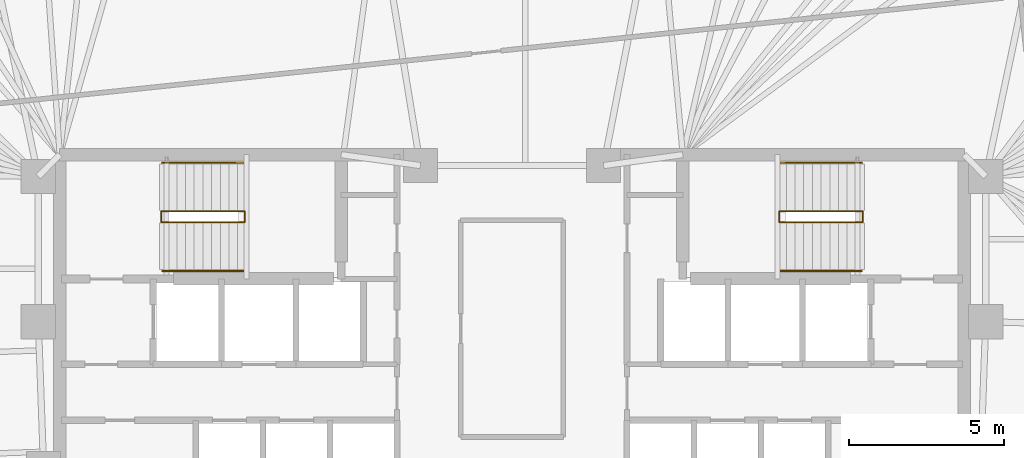
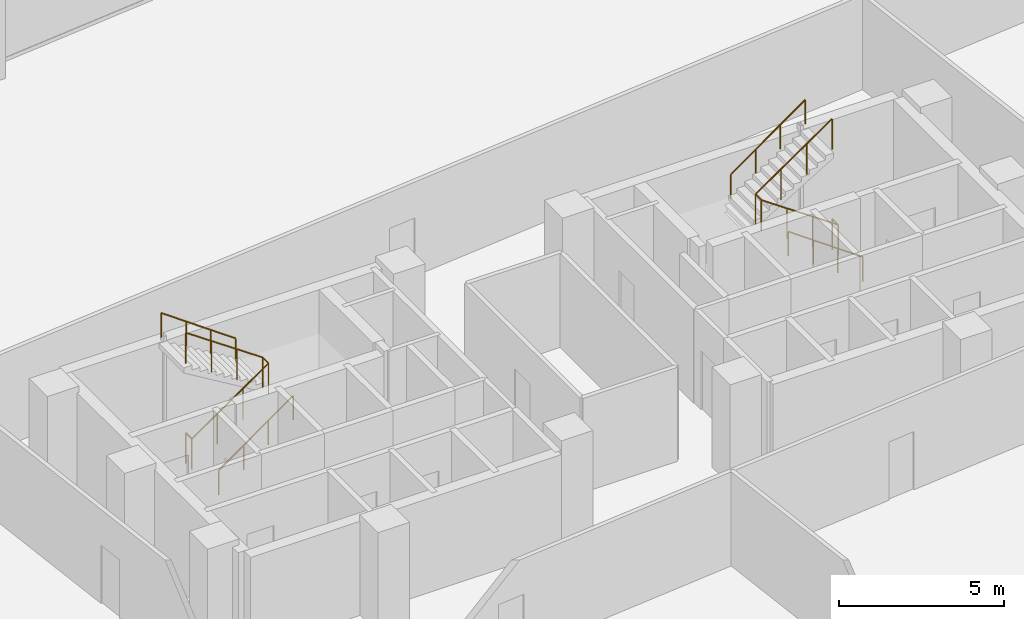
# One storey, part 17 of 17: 6 railings.
"""IFC4 building model written with IfcOpenShell, lengths in metres."""

from ifc_helpers import new_model, si_unit, direction, frame, origin, origin_2d, place, context, subcontext, project, spatial, circle, extrude, material, type_object, element, save


model = new_model("IFC4")

# Units and contexts
model_context = context("Model", 3, precision=1e-05, world=origin(), true_north=direction((0.0, 1.0)))
body_context = subcontext(model_context, "Body", "Model", "MODEL_VIEW")
ifc_project = project(units=[si_unit("LENGTHUNIT", "METRE"), si_unit("AREAUNIT", "SQUARE_METRE"), si_unit("VOLUMEUNIT", "CUBIC_METRE"), si_unit("PLANEANGLEUNIT", "RADIAN"), si_unit("MASSUNIT", "GRAM", prefix="KILO")], contexts=[model_context])

# Site, building, storey
site_placement = place(None, origin())
site = spatial("IfcSite", under=ifc_project, at=site_placement, CompositionType="ELEMENT")
building_placement = place(site_placement, origin())
building = spatial("IfcBuilding", under=site, at=building_placement, Name="Menara Jurai Vektor", CompositionType="ELEMENT")
storey_placement = place(building_placement, frame((0.0, 0.0, 109.60009765625)))
storey = spatial("IfcBuildingStorey", under=building, at=storey_placement, Name="L27", CompositionType="ELEMENT", Elevation=109.60009765625)

# Railings
ifc_material_1 = material(Name="Painted Galvanised Steel Balustrade", Category="steel")
railing_type_1 = type_object("IfcRailingType", Name="RAIL-STAIR-GUARD", PredefinedType="GUARDRAIL", material=ifc_material_1)
railing_1_placement = place(storey_placement, frame((-11.2900390625, 3.780029296875, 0.0)))
element("IfcRailing", 1, at=railing_1_placement, inside=storey, type_object=railing_type_1, Name="ST1 Stair Guardrail 1 L27", PredefinedType="GUARDRAIL", context=body_context, shape_type="SweptSolid", body=[
    extrude(circle(Radius=0.02392578125, at=origin_2d()), frame((0.0, 0.0, 1.1259765625), z_axis=(0.0, -1.0, 0.0), x_axis=(1.0, 0.0, 0.0)), (0.0, 0.0, 1.0), 0.360107421875),
    extrude(circle(Radius=0.02392578125, at=origin_2d()), frame((0.0, -0.360107421875, 1.1259765625), z_axis=(0.822979520584, 0.0, 0.568071041948), x_axis=(0.0, 1.0, 0.0)), (0.0, 0.0, 1.0), 3.25634765625),
    extrude(circle(Radius=0.02392578125, at=origin_2d()), frame((2.679931640625, -0.360107421875, 2.9755859375), z_axis=(0.0, 1.0, 0.0), x_axis=(-1.0, 0.0, 0.0)), (0.0, 0.0, 1.0), 0.360107421875),
    extrude(circle(Radius=0.02392578125, at=origin_2d()), frame((2.679931640625, 0.0, 2.9755859375), z_axis=(-0.822944469782, 0.0, 0.568121817619), x_axis=(0.0, -1.0, 0.0)), (0.0, 0.0, 1.0), 3.256591796875),
    extrude(circle(Radius=0.02099609375, at=origin_2d()), origin(), (0.0, 0.0, 1.0), 1.101806640625),
    extrude(circle(Radius=0.02099609375, at=origin_2d()), frame((0.0, -0.360107421875, 0.0)), (0.0, 0.0, 1.0), 1.101806640625),
    extrude(circle(Radius=0.02099609375, at=origin_2d()), frame((0.893310546875, -0.360107421875, 0.61669921875)), (0.0, 0.0, 1.0), 1.101806640625),
    extrude(circle(Radius=0.02099609375, at=origin_2d()), frame((1.78662109375, -0.360107421875, 1.233154296875)), (0.0, 0.0, 1.0), 1.101806640625),
    extrude(circle(Radius=0.02099609375, at=origin_2d()), frame((2.679931640625, -0.360107421875, 1.849853515625)), (0.0, 0.0, 1.0), 1.101806640625),
    extrude(circle(Radius=0.02099609375, at=origin_2d()), frame((2.679931640625, 0.0, 1.849853515625)), (0.0, 0.0, 1.0), 1.101806640625),
    extrude(circle(Radius=0.02099609375, at=origin_2d()), frame((1.78662109375, 0.0, 2.466552734375)), (0.0, 0.0, 1.0), 1.101806640625),
    extrude(circle(Radius=0.02099609375, at=origin_2d()), frame((0.893310546875, 0.0, 3.083251953125)), (0.0, 0.0, 1.0), 1.101806640625),
    extrude(circle(Radius=0.02099609375, at=origin_2d()), frame((0.0, 0.0, 3.699951171875)), (0.0, 0.0, 1.0), 1.101806640625),
])
railing_2_placement = place(storey_placement, frame((11.2900390625, 3.780029296875, 0.0)))
element("IfcRailing", 2, at=railing_2_placement, inside=storey, type_object=railing_type_1, Name="ST2 Stair Guardrail 1 L27", PredefinedType="GUARDRAIL", context=body_context, shape_type="SweptSolid", body=[
    extrude(circle(Radius=0.02392578125, at=origin_2d()), frame((0.0, 0.0, 1.1259765625), z_axis=(0.0, -1.0, 0.0), x_axis=(1.0, 0.0, 0.0)), (0.0, 0.0, 1.0), 0.360107421875),
    extrude(circle(Radius=0.02392578125, at=origin_2d()), frame((0.0, -0.360107421875, 1.1259765625), z_axis=(-0.822979520584, 0.0, 0.568071041948), x_axis=(0.0, -1.0, 0.0)), (0.0, 0.0, 1.0), 3.25634765625),
    extrude(circle(Radius=0.02392578125, at=origin_2d()), frame((-2.679931640625, -0.360107421875, 2.9755859375), z_axis=(0.0, 1.0, 0.0), x_axis=(-1.0, 0.0, 0.0)), (0.0, 0.0, 1.0), 0.360107421875),
    extrude(circle(Radius=0.02392578125, at=origin_2d()), frame((-2.679931640625, 0.0, 2.9755859375), z_axis=(0.822944469782, 0.0, 0.568121817619), x_axis=(0.0, 1.0, 0.0)), (0.0, 0.0, 1.0), 3.256591796875),
    extrude(circle(Radius=0.02099609375, at=origin_2d()), origin(), (0.0, 0.0, 1.0), 1.101806640625),
    extrude(circle(Radius=0.02099609375, at=origin_2d()), frame((0.0, -0.360107421875, 0.0)), (0.0, 0.0, 1.0), 1.101806640625),
    extrude(circle(Radius=0.02099609375, at=origin_2d()), frame((-0.893310546875, -0.360107421875, 0.61669921875)), (0.0, 0.0, 1.0), 1.101806640625),
    extrude(circle(Radius=0.02099609375, at=origin_2d()), frame((-1.78662109375, -0.360107421875, 1.233154296875)), (0.0, 0.0, 1.0), 1.101806640625),
    extrude(circle(Radius=0.02099609375, at=origin_2d()), frame((-2.679931640625, -0.360107421875, 1.849853515625)), (0.0, 0.0, 1.0), 1.101806640625),
    extrude(circle(Radius=0.02099609375, at=origin_2d()), frame((-2.679931640625, 0.0, 1.849853515625)), (0.0, 0.0, 1.0), 1.101806640625),
    extrude(circle(Radius=0.02099609375, at=origin_2d()), frame((-1.78662109375, 0.0, 2.466552734375)), (0.0, 0.0, 1.0), 1.101806640625),
    extrude(circle(Radius=0.02099609375, at=origin_2d()), frame((-0.893310546875, 0.0, 3.083251953125)), (0.0, 0.0, 1.0), 1.101806640625),
    extrude(circle(Radius=0.02099609375, at=origin_2d()), frame((0.0, 0.0, 3.699951171875)), (0.0, 0.0, 1.0), 1.101806640625),
])
ifc_material_2 = material(Name="Brushed Stainless Steel Handrail", Category="steel")
railing_type_2 = type_object("IfcRailingType", Name="RAIL-STAIR-HAND", PredefinedType="HANDRAIL", material=ifc_material_2)
railing_3_placement = place(storey_placement, frame((-11.25, 1.860107421875, 0.0)))
element("IfcRailing", 3, at=railing_3_placement, inside=storey, type_object=railing_type_2, Name="ST1 Stair Handrail 1 L27", PredefinedType="HANDRAIL", context=body_context, shape_type="SweptSolid", body=[
    extrude(circle(Radius=0.02392578125, at=origin_2d()), frame((0.0, 0.0, 0.89599609375), z_axis=(0.814822811145, 0.0, 0.579710088267), x_axis=(0.0, 1.0, 0.0)), (0.0, 0.0, 1.0), 3.19091796875),
    extrude(circle(Radius=0.02099609375, at=origin_2d()), origin(), (0.0, 0.0, 1.0), 0.871826171875),
    extrude(circle(Radius=0.02099609375, at=origin_2d()), frame((0.86669921875, 0.0, 0.61669921875)), (0.0, 0.0, 1.0), 0.871826171875),
    extrude(circle(Radius=0.02099609375, at=origin_2d()), frame((1.7333984375, 0.0, 1.233154296875)), (0.0, 0.0, 1.0), 0.871826171875),
    extrude(circle(Radius=0.02099609375, at=origin_2d()), frame((2.60009765625, 0.0, 1.849853515625)), (0.0, 0.0, 1.0), 0.871826171875),
])
railing_4_placement = place(storey_placement, frame((-8.64990234375, 5.340087890625, 1.849853515625)))
element("IfcRailing", 4, at=railing_4_placement, inside=storey, type_object=railing_type_2, Name="ST1 Stair Handrail 2 L27", PredefinedType="HANDRAIL", context=body_context, shape_type="SweptSolid", body=[
    extrude(circle(Radius=0.02392578125, at=origin_2d()), frame((0.0, 0.0, 0.89599609375), z_axis=(-0.814786671209, 0.0, 0.579760882106), x_axis=(0.0, -1.0, 0.0)), (0.0, 0.0, 1.0), 3.191162109375),
    extrude(circle(Radius=0.02099609375, at=origin_2d()), origin(), (0.0, 0.0, 1.0), 0.871826171875),
    extrude(circle(Radius=0.02099609375, at=origin_2d()), frame((-0.86669921875, 0.0, 0.61669921875)), (0.0, 0.0, 1.0), 0.871826171875),
    extrude(circle(Radius=0.02099609375, at=origin_2d()), frame((-1.7333984375, 0.0, 1.2333984375)), (0.0, 0.0, 1.0), 0.871826171875),
    extrude(circle(Radius=0.02099609375, at=origin_2d()), frame((-2.60009765625, 0.0, 1.85009765625)), (0.0, 0.0, 1.0), 0.871826171875),
])
railing_5_placement = place(storey_placement, frame((11.25, 1.860107421875, 0.0)))
element("IfcRailing", 5, at=railing_5_placement, inside=storey, type_object=railing_type_2, Name="ST2 Stair Handrail 1 L27", PredefinedType="HANDRAIL", context=body_context, shape_type="SweptSolid", body=[
    extrude(circle(Radius=0.02392578125, at=origin_2d()), frame((0.0, 0.0, 0.89599609375), z_axis=(-0.814822811145, 0.0, 0.579710088267), x_axis=(0.0, -1.0, 0.0)), (0.0, 0.0, 1.0), 3.19091796875),
    extrude(circle(Radius=0.02099609375, at=origin_2d()), origin(), (0.0, 0.0, 1.0), 0.871826171875),
    extrude(circle(Radius=0.02099609375, at=origin_2d()), frame((-0.86669921875, 0.0, 0.61669921875)), (0.0, 0.0, 1.0), 0.871826171875),
    extrude(circle(Radius=0.02099609375, at=origin_2d()), frame((-1.7333984375, 0.0, 1.233154296875)), (0.0, 0.0, 1.0), 0.871826171875),
    extrude(circle(Radius=0.02099609375, at=origin_2d()), frame((-2.60009765625, 0.0, 1.849853515625)), (0.0, 0.0, 1.0), 0.871826171875),
])
railing_6_placement = place(storey_placement, frame((8.64990234375, 5.340087890625, 1.849853515625)))
element("IfcRailing", 6, at=railing_6_placement, inside=storey, type_object=railing_type_2, Name="ST2 Stair Handrail 2 L27", PredefinedType="HANDRAIL", context=body_context, shape_type="SweptSolid", body=[
    extrude(circle(Radius=0.02392578125, at=origin_2d()), frame((0.0, 0.0, 0.89599609375), z_axis=(0.814786671209, 0.0, 0.579760882106), x_axis=(0.0, 1.0, 0.0)), (0.0, 0.0, 1.0), 3.191162109375),
    extrude(circle(Radius=0.02099609375, at=origin_2d()), origin(), (0.0, 0.0, 1.0), 0.871826171875),
    extrude(circle(Radius=0.02099609375, at=origin_2d()), frame((0.86669921875, 0.0, 0.61669921875)), (0.0, 0.0, 1.0), 0.871826171875),
    extrude(circle(Radius=0.02099609375, at=origin_2d()), frame((1.7333984375, 0.0, 1.2333984375)), (0.0, 0.0, 1.0), 0.871826171875),
    extrude(circle(Radius=0.02099609375, at=origin_2d()), frame((2.60009765625, 0.0, 1.85009765625)), (0.0, 0.0, 1.0), 0.871826171875),
])

save(model, "model.ifc")
